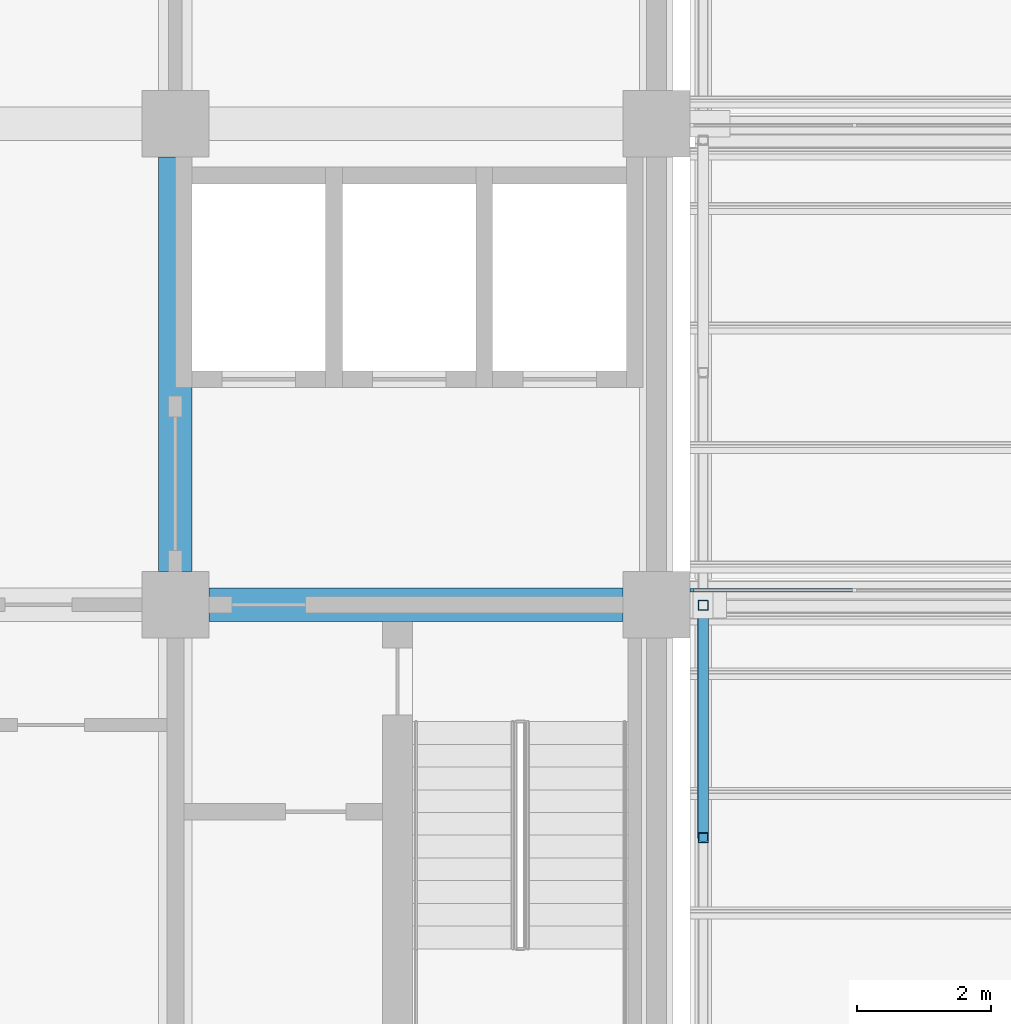
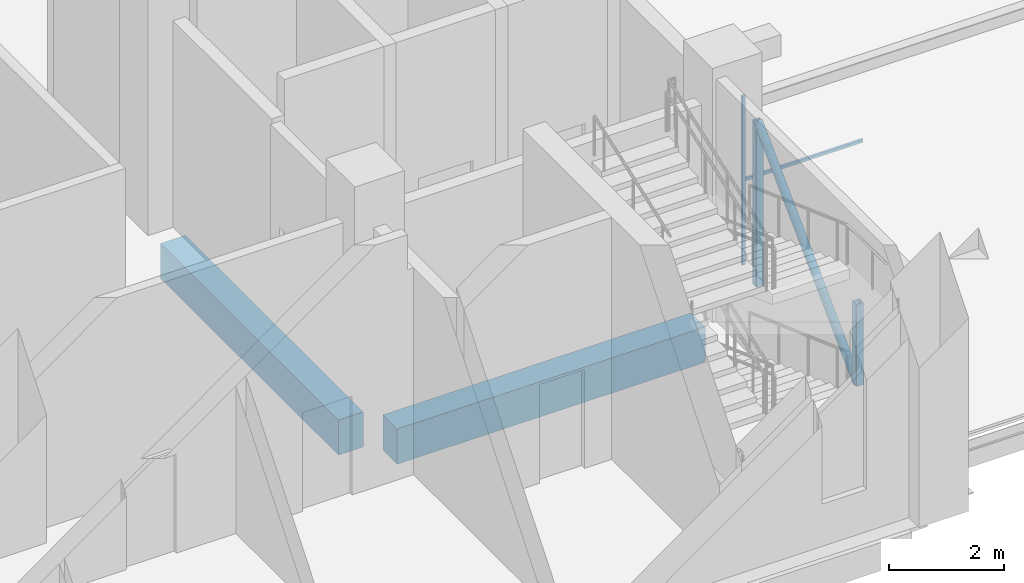
# One storey, part 2 of 83: 5 members, 2 beams, 1 element without a shape of its own.
"""IFC4 building model written with IfcOpenShell, lengths in metres."""

from ifc_helpers import new_model, si_unit, direction, frame, origin, origin_2d, place, context, subcontext, project, spatial, rectangle, hollow_rectangle, hollow_circle, extrude, material, material_profile, profile_set, type_object, element, aggregate, save


model = new_model("IFC4")

# Units and contexts
model_context = context("Model", 3, precision=1e-05, world=origin(), true_north=direction((0.0, 1.0)))
body_context = subcontext(model_context, "Body", "Model", "MODEL_VIEW")
ifc_project = project(units=[si_unit("LENGTHUNIT", "METRE"), si_unit("AREAUNIT", "SQUARE_METRE"), si_unit("VOLUMEUNIT", "CUBIC_METRE"), si_unit("PLANEANGLEUNIT", "RADIAN"), si_unit("MASSUNIT", "GRAM", prefix="KILO")], contexts=[model_context])

# Site, building, storey
site_placement = place(None, origin())
site = spatial("IfcSite", under=ifc_project, at=site_placement, CompositionType="ELEMENT")
building_placement = place(site_placement, origin())
building = spatial("IfcBuilding", under=site, at=building_placement, Name="Silangan Lancet Faculty of Sciences", CompositionType="ELEMENT")
storey_placement = place(building_placement, frame((0.0, 0.0, 11.39990234375)))
storey = spatial("IfcBuildingStorey", under=building, at=storey_placement, Name="L02", CompositionType="ELEMENT", Elevation=11.39990234375)

# Beams
ifc_material_1 = material(Name="Concrete C40/50", Category="concrete")
ifc_material_profile_1 = material_profile(ifc_material_1, rectangle(XDim=0.5, YDim=0.75, at=origin_2d()), Name="RC 500x750")
ifc_profile_set_1 = profile_set([ifc_material_profile_1], Name="Concrete C40/50")
beam_type = type_object("IfcBeamType", Name="BEAM RC 500x750", PredefinedType="BEAM", material=ifc_profile_set_1)
for number, where, z_axis, x_axis, name in (
    (1, (22.10009765625, 7.199951171875, -0.625), (1.0, 0.0, 0.0), (0.0, 1.0, 0.0), "BM-L02-4B-5B"),
    (2, (21.60009765625, 7.699951171875, -0.625), (0.0, 1.0, 0.0), (-1.0, 0.0, 0.0), "BM-L02-4B-4C"),
):
    element("IfcBeam", number, at=place(storey_placement, frame(where, z_axis=z_axis, x_axis=x_axis)), inside=storey, type_object=beam_type, Name=name, PredefinedType="BEAM", context=body_context, shape_type="SweptSolid", body=[
        extrude(rectangle(XDim=0.5, YDim=0.75, at=origin_2d()), origin(), (0.0, 0.0, 1.0), 6.199951171875),
    ])

# Curtain wall, members
ifc_material_2 = material(Name="Aluminium and laminated glass", Category="aluminium")
curtain_wall_type = type_object("IfcCurtainWallType", Name="North light glazing system", PredefinedType="NOTDEFINED", material=ifc_material_2)
curtain_wall_placement = place(storey_placement, origin())
curtain_wall = element("IfcCurtainWall", 3, at=curtain_wall_placement, inside=storey, type_object=curtain_wall_type, Name="North light glazing SAB-1-1", PredefinedType="NOTDEFINED")
ifc_material_3 = material(Name="Aluminium 6063-T6", Category="aluminium")
ifc_material_profile_2 = material_profile(ifc_material_3, rectangle(XDim=0.06005859375, YDim=0.050048828125, at=origin_2d()), Name="AL 60x50")
ifc_profile_set_2 = profile_set([ifc_material_profile_2], Name="Aluminium 6063-T6")
member_type_1 = type_object("IfcMemberType", Name="North light mullion 60x50", PredefinedType="MULLION", material=ifc_profile_set_2)
member_1_placement = place(storey_placement, frame((29.330078125, 7.416748046875, 0.4423828125), z_axis=(0.0, 0.0, 1.0), x_axis=(1.0, 0.0, 0.0)))
member_1 = element("IfcMember", 4, at=member_1_placement, type_object=member_type_1, Name="North light mullion SAB-1-1 1", PredefinedType="MULLION", context=body_context, shape_type="SweptSolid", body=[
    extrude(rectangle(XDim=0.06005859375, YDim=0.050048828125, at=origin_2d()), origin(), (0.0, 0.0, 1.0), 3.595947265625),
])
ifc_material_4 = material(Name="Aluminium 6063-T6", Category="aluminium")
ifc_material_profile_3 = material_profile(ifc_material_4, rectangle(XDim=0.050048828125, YDim=0.06005859375, at=origin_2d()), Name="AL 50x60")
ifc_profile_set_3 = profile_set([ifc_material_profile_3], Name="Aluminium 6063-T6")
member_type_2 = type_object("IfcMemberType", Name="North light transom 50x60", PredefinedType="USERDEFINED", material=ifc_profile_set_3)
member_2_placement = place(storey_placement, frame((29.300048828125, 7.416748046875, 2.240478515625), z_axis=(1.0, 0.0, 0.0), x_axis=(0.0, 1.0, 0.0)))
member_2 = element("IfcMember", 5, at=member_2_placement, type_object=member_type_2, Name="North light transom SAB-1-1 1", ObjectType="TRANSOM", PredefinedType="USERDEFINED", context=body_context, shape_type="SweptSolid", body=[
    extrude(rectangle(XDim=0.050048828125, YDim=0.06005859375, at=origin_2d()), origin(), (0.0, 0.0, 1.0), 2.431640625),
])
aggregate(curtain_wall, [member_1, member_2])

# Members
ifc_material_5 = material(Name="Steel STK400", Category="steel")
ifc_material_profile_4 = material_profile(ifc_material_5, hollow_circle(Radius=0.08251953125, WallThickness=0.0048828125, at=origin_2d()), Name="CHS 165.2x5.0")
ifc_profile_set_4 = profile_set([ifc_material_profile_4], Name="Steel STK400")
member_type_3 = type_object("IfcMemberType", Name="Truss diagonal CHS 165.2x5.0", PredefinedType="BRACE", material=ifc_profile_set_4)
member_3_placement = place(storey_placement, frame((29.5, 3.710693359375, 0.09521484375), z_axis=(0.0, 0.707131578465, 0.707081983039), x_axis=(-1.0, 0.0, 0.0)))
element("IfcMember", 6, at=member_3_placement, inside=storey, type_object=member_type_3, Name="Truss 1 diagonal 1", PredefinedType="BRACE", context=body_context, shape_type="SweptSolid", body=[
    extrude(hollow_circle(Radius=0.08251953125, WallThickness=0.0048828125, at=origin_2d()), origin(), (0.0, 0.0, 1.0), 4.922607421875),
])
ifc_material_6 = material(Name="Steel STKR400", Category="steel")
ifc_material_profile_5 = material_profile(ifc_material_6, hollow_rectangle(XDim=0.14990234375, YDim=0.14990234375, WallThickness=0.006103515625, InnerFilletRadius=0.006103515625, OuterFilletRadius=0.011962890625, at=origin_2d()), Name="SHS 150x150x6.0")
ifc_profile_set_5 = profile_set([ifc_material_profile_5], Name="Steel STKR400")
member_type_4 = type_object("IfcMemberType", Name="Truss post SHS 150x150x6.0", PredefinedType="POST", material=ifc_profile_set_5)
member_4_placement = place(storey_placement, frame((29.5, 7.191650390625, 0.09521484375), z_axis=(0.0, 0.0, 1.0), x_axis=(1.0, 0.0, 0.0)))
element("IfcMember", 7, at=member_4_placement, inside=storey, type_object=member_type_4, Name="Truss 1 riser post 1", PredefinedType="POST", context=body_context, shape_type="SweptSolid", body=[
    extrude(hollow_rectangle(XDim=0.14990234375, YDim=0.14990234375, WallThickness=0.006103515625, InnerFilletRadius=0.006103515625, OuterFilletRadius=0.011962890625, at=origin_2d()), origin(), (0.0, 0.0, 1.0), 3.480712890625),
])
member_5_placement = place(storey_placement, frame((29.5, 3.710693359375, 0.09521484375), z_axis=(0.0, 0.0, 1.0), x_axis=(1.0, 0.0, 0.0)))
element("IfcMember", 8, at=member_5_placement, inside=storey, type_object=member_type_4, Name="Truss 1 mid post 1", PredefinedType="POST", context=body_context, shape_type="SweptSolid", body=[
    extrude(hollow_rectangle(XDim=0.14990234375, YDim=0.14990234375, WallThickness=0.006103515625, InnerFilletRadius=0.006103515625, OuterFilletRadius=0.011962890625, at=origin_2d()), origin(), (0.0, 0.0, 1.0), 1.740234375),
])

save(model, "model.ifc")
